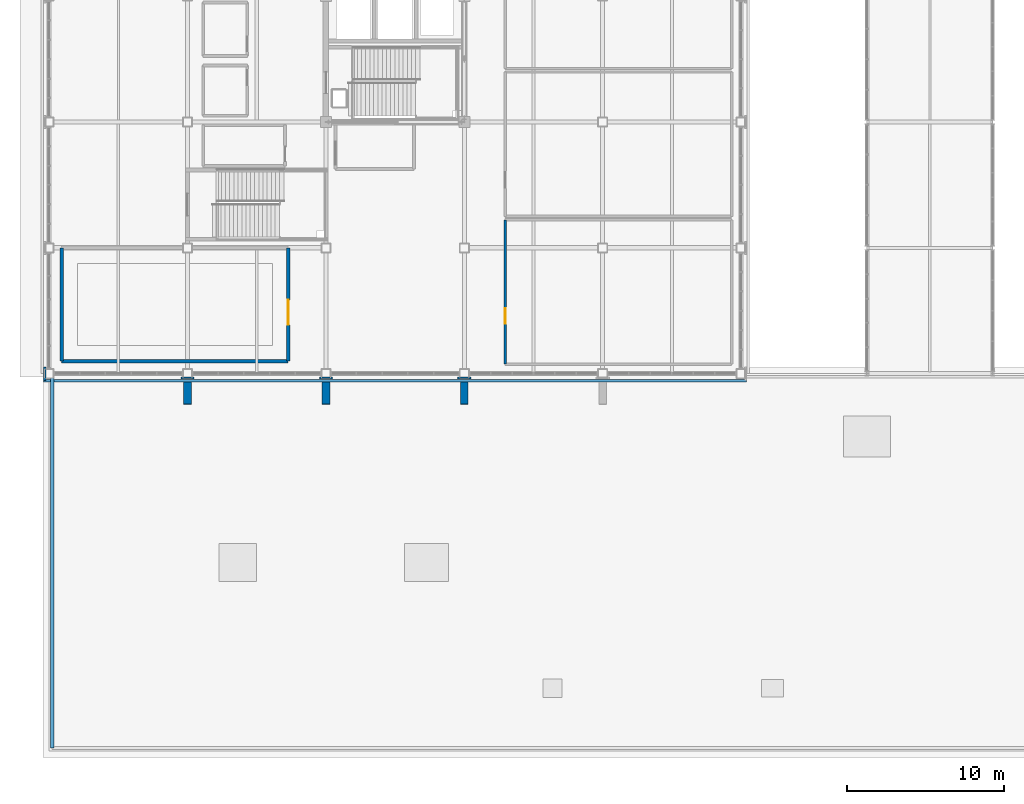
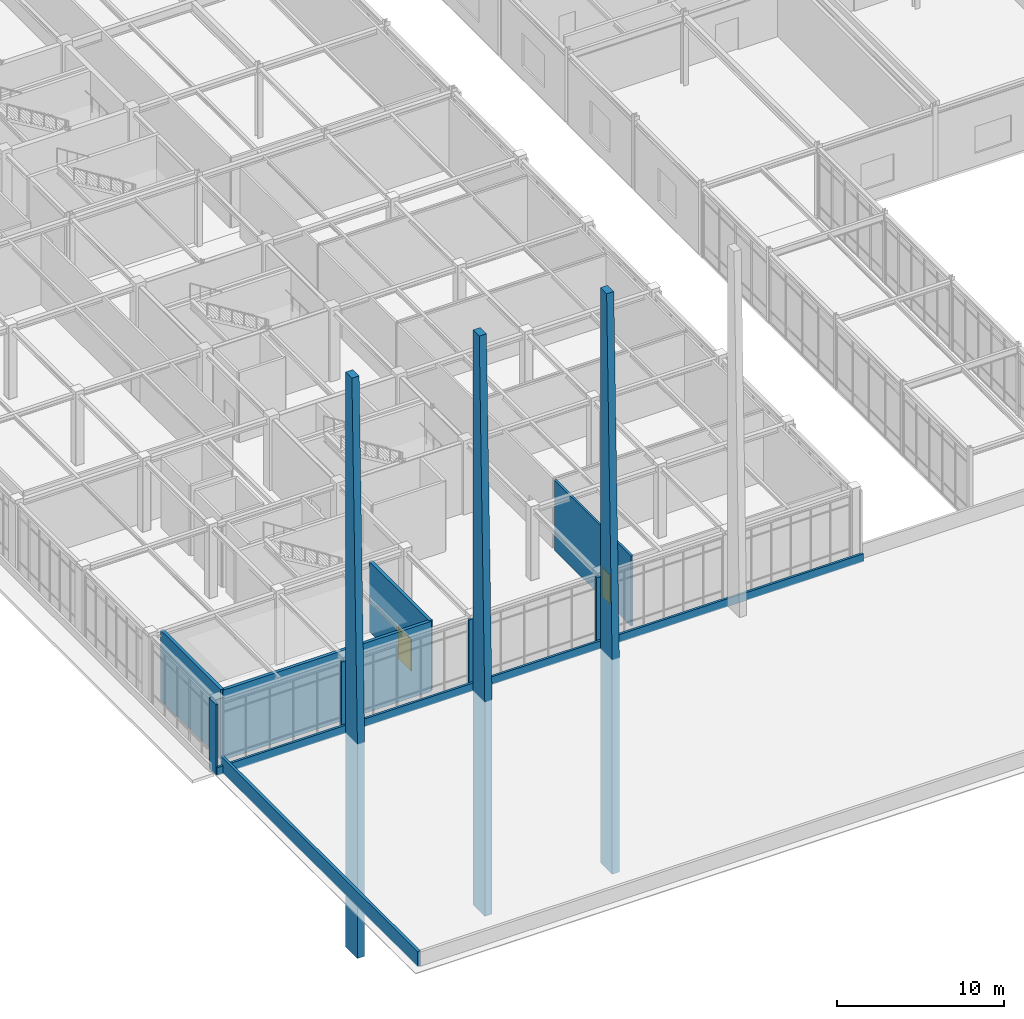
# One storey, part 85 of 108: 13 walls, 2 doors, 2 openings.
"""IFC4 building model written with IfcOpenShell, lengths in metres."""

from ifc_helpers import new_model, si_unit, direction, frame, frame_2d, origin, place, context, subcontext, project, spatial, polyline, rectangle, outline, extrude, material, layer, layer_set, type_object, element, fill, save


model = new_model("IFC4")

# Units and contexts
model_context = context("Model", 3, precision=1e-05, world=origin(), true_north=direction((0.0, 1.0)))
body_context = subcontext(model_context, "Body", "Model", "MODEL_VIEW")
ifc_project = project(units=[si_unit("LENGTHUNIT", "METRE"), si_unit("AREAUNIT", "SQUARE_METRE"), si_unit("VOLUMEUNIT", "CUBIC_METRE"), si_unit("PLANEANGLEUNIT", "RADIAN"), si_unit("MASSUNIT", "GRAM", prefix="KILO")], contexts=[model_context])

# Site, building, storey
site_placement = place(None, origin())
site = spatial("IfcSite", under=ifc_project, at=site_placement, CompositionType="ELEMENT")
building_placement = place(site_placement, origin())
building = spatial("IfcBuilding", under=site, at=building_placement, Name="Zhaolan Boulevard Law Courts", CompositionType="ELEMENT")
storey_placement = place(building_placement, frame((0.0, 0.0, 10.800048828125)))
storey = spatial("IfcBuildingStorey", under=building, at=storey_placement, Name="L02", CompositionType="ELEMENT", Elevation=10.800048828125)

# Walls
ifc_material_1 = material(Name="Concrete C40", Category="concrete")
ifc_layer_1 = layer(ifc_material_1, 0.139892578125)
ifc_layer_set_1 = layer_set([ifc_layer_1])
wall_type_1 = type_object("IfcWallType", Name="EXT WALL ARCH CLAD140", PredefinedType="SOLIDWALL", material=ifc_layer_set_1)
wall_1_placement = place(storey_placement, frame((-0.280029296875, 29.580078125, 0.0), z_axis=(0.0, 0.0, 1.0), x_axis=(0.0, 1.0, 0.0)))
element("IfcWall", 1, at=wall_1_placement, inside=storey, type_object=wall_type_1, Name="Concrete Column Cloak Pier CPR-057", PredefinedType="SOLIDWALL", context=body_context, shape_type="SweptSolid", body=[
    extrude(rectangle(XDim=0.83984375, YDim=0.139892578125, at=frame_2d((0.419921875, 0.0))), origin(), (0.0, 0.0, 1.0), 5.139892578125),
])
for number, where, z_axis, x_axis, name in (
    (2, (8.3798828125, 29.719970703125, 0.0), (0.0, 0.0, 1.0), (1.0, 0.0, 0.0), "Concrete Column Cloak Pier CPR-071"),
    (3, (17.179931640625, 29.719970703125, 0.0), (0.0, 0.0, 1.0), (1.0, 0.0, 0.0), "Concrete Column Cloak Pier CPR-072"),
    (4, (25.97998046875, 29.719970703125, 0.0), (0.0, 0.0, 1.0), (1.0, 0.0, 0.0), "Concrete Column Cloak Pier CPR-073"),
):
    element("IfcWall", number, at=place(storey_placement, frame(where, z_axis=z_axis, x_axis=x_axis)), inside=storey, type_object=wall_type_1, Name=name, PredefinedType="SOLIDWALL", context=body_context, shape_type="SweptSolid", body=[
        extrude(rectangle(XDim=0.840087890625, YDim=0.139892578125, at=frame_2d((0.419921875, 0.0))), origin(), (0.0, 0.0, 1.0), 5.139892578125),
    ])
ifc_material_2 = material(Name="Concrete C40", Category="concrete")
ifc_layer_2 = layer(ifc_material_2, 0.159912109375)
ifc_layer_set_2 = layer_set([ifc_layer_2])
wall_type_2 = type_object("IfcWallType", Name="EXT WALL ARCH CLAD160", PredefinedType="SOLIDWALL", material=ifc_layer_set_2)
wall_2_placement = place(storey_placement, frame((-0.340087890625, 29.56005859375, 0.0), z_axis=(0.0, 0.0, 1.0), x_axis=(1.0, 0.0, 0.0)))
element("IfcWall", 5, at=wall_2_placement, inside=storey, type_object=wall_type_2, Name="Sculpted Concrete Spandrel Band CBW-056", PredefinedType="SOLIDWALL", context=body_context, shape_type="SweptSolid", body=[
    extrude(rectangle(XDim=44.68017578125, YDim=0.159912109375, at=frame_2d((22.340087890625, 0.0))), origin(), (0.0, 0.0, 1.0), 0.579833984375),
])
ifc_material_3 = material(Name="Concrete C40", Category="concrete")
ifc_layer_3 = layer(ifc_material_3, 0.5)
ifc_layer_set_3 = layer_set([ifc_layer_3])
wall_type_3 = type_object("IfcWallType", Name="EXT WALL BUTTRESS500", PredefinedType="SOLIDWALL", material=ifc_layer_set_3)
for number, where, z_axis, x_axis, name in (
    (6, (8.800048828125, 29.4599609375, -15.60009765625), (0.0, 0.0, 1.0), (0.0, -1.0, 0.0), "Sculpted South Concrete Fin SCF-221"),
    (7, (17.60009765625, 29.4599609375, -15.60009765625), (0.0, 0.0, 1.0), (0.0, -1.0, 0.0), "Sculpted South Concrete Fin SCF-222"),
    (8, (26.39990234375, 29.4599609375, -15.60009765625), (0.0, 0.0, 1.0), (0.0, -1.0, 0.0), "Sculpted South Concrete Fin SCF-223"),
):
    element("IfcWall", number, at=place(storey_placement, frame(where, z_axis=z_axis, x_axis=x_axis)), inside=storey, type_object=wall_type_3, Name=name, PredefinedType="SOLIDWALL", context=body_context, shape_type="SweptSolid", body=[
        extrude(outline(polyline([(0.0, 0.0), (1.409912109375, 0.0), (1.409912109375, 15.60009765625), (0.75, 42.0), (0.0, 42.0), (0.0, 0.0)])), frame((0.0, 0.25, 0.0), z_axis=(0.0, -1.0, 0.0), x_axis=(1.0, 0.0, 0.0)), (0.0, 0.0, 1.0), 0.5),
    ])
ifc_material_4 = material(Name="Concrete C40", Category="concrete")
ifc_layer_4 = layer(ifc_material_4, 0.199951171875)
ifc_layer_set_4 = layer_set([ifc_layer_4])
wall_type_4 = type_object("IfcWallType", Name="PARAPET CONCRETE200", PredefinedType="PARAPET", material=ifc_layer_set_4)
wall_3_placement = place(storey_placement, frame((0.199951171875, 6.199951171875, 0.0), z_axis=(0.0, 0.0, 1.0), x_axis=(0.0, 1.0, 0.0)))
element("IfcWall", 9, at=wall_3_placement, inside=storey, type_object=wall_type_4, Name="Roof Parapet PAR-V4-W", PredefinedType="PARAPET", context=body_context, shape_type="SweptSolid", body=[
    extrude(rectangle(XDim=23.60009765625, YDim=0.199951171875, at=frame_2d((11.800048828125, 0.0))), origin(), (0.0, 0.0, 1.0), 1.099853515625),
])
ifc_material_5 = material(Name="Concrete C40", Category="concrete")
ifc_layer_5 = layer(ifc_material_5, 0.219970703125)
ifc_layer_set_5 = layer_set([ifc_layer_5])
wall_type_5 = type_object("IfcWallType", Name="PART WALL COURT220", PredefinedType="PARTITIONING", material=ifc_layer_set_5)
wall_4_placement = place(storey_placement, frame((0.800048828125, 30.800048828125, 0.0), z_axis=(0.0, 0.0, 1.0), x_axis=(1.0, 0.0, 0.0)))
element("IfcWall", 10, at=wall_4_placement, inside=storey, type_object=wall_type_5, Name="Interior Partition PW-L02-489", PredefinedType="PARTITIONING", context=body_context, shape_type="SweptSolid", body=[
    extrude(rectangle(XDim=14.39990234375, YDim=0.219970703125, at=frame_2d((7.199951171875, 0.0))), origin(), (0.0, 0.0, 1.0), 5.119873046875),
])
wall_5_placement = place(storey_placement, frame((0.800048828125, 38.0, 0.0), z_axis=(0.0, 0.0, 1.0), x_axis=(0.0, -1.0, 0.0)))
element("IfcWall", 11, at=wall_5_placement, inside=storey, type_object=wall_type_5, Name="Interior Partition PW-L02-491", PredefinedType="PARTITIONING", context=body_context, shape_type="SweptSolid", body=[
    extrude(rectangle(XDim=7.199951171875, YDim=0.219970703125, at=frame_2d((3.60009765625, 0.0))), origin(), (0.0, 0.0, 1.0), 5.119873046875),
])

# Wall, opening, door
wall_6_placement = place(storey_placement, frame((15.199951171875, 30.800048828125, 0.0), z_axis=(0.0, 0.0, 1.0), x_axis=(0.0, 1.0, 0.0)))
wall_6 = element("IfcWall", 12, at=wall_6_placement, inside=storey, type_object=wall_type_5, Name="Interior Partition PW-L02-492", PredefinedType="PARTITIONING", context=body_context, shape_type="SweptSolid", body=[
    extrude(rectangle(XDim=7.199951171875, YDim=0.219970703125, at=frame_2d((3.60009765625, 0.0))), origin(), (0.0, 0.0, 1.0), 5.119873046875),
])
opening_1_placement = place(wall_6_placement, frame((2.300048828125, 0.0, 0.0)))
opening_1 = element("IfcOpeningElement", 13, at=opening_1_placement, cuts=wall_6, Name="Opening ID-L02-154", PredefinedType="OPENING", context=body_context, shape_type="SweptSolid", body=[
    extrude(rectangle(XDim=1.60009765625, YDim=2.35009765625, at=frame_2d((0.800048828125, 1.175048828125))), frame((0.0, 0.119873046875, 0.0), z_axis=(0.0, -1.0, 0.0), x_axis=(1.0, 0.0, 0.0)), (0.0, 0.0, 1.0), 0.239990234375),
])
ifc_material_6 = material(Name="Solid-core acoustic oak veneer door")
door_type_1 = type_object("IfcDoorType", Name="COURT DOUBLE 1600X2350", OperationType="DOUBLE_DOOR_SINGLE_SWING", PredefinedType="DOOR", material=ifc_material_6)
door_1_placement = place(opening_1_placement, origin())
door_1 = element("IfcDoor", 14, at=door_1_placement, inside=storey, type_object=door_type_1, Name="Door ID-L02-154 (Environmental Trial Courtroom L02)", OperationType="DOUBLE_DOOR_SINGLE_SWING", OverallHeight=2.35009765625, OverallWidth=1.60009765625, PredefinedType="DOOR", context=body_context, shape_type="SweptSolid", body=[
    extrude(rectangle(XDim=1.60009765625, YDim=2.35009765625, at=frame_2d((0.800048828125, 1.175048828125))), frame((0.0, 0.02490234375, 0.0), z_axis=(0.0, -1.0, 0.0), x_axis=(1.0, 0.0, 0.0)), (0.0, 0.0, 1.0), 0.050048828125),
])
fill(opening_1, door_1)

ifc_material_7 = material(Name="Fire-rated gypsum stud partition")
ifc_layer_6 = layer(ifc_material_7, 0.139892578125)
ifc_layer_set_6 = layer_set([ifc_layer_6])
wall_type_6 = type_object("IfcWallType", Name="PART WALL OFFICE140", PredefinedType="PARTITIONING", material=ifc_layer_set_6)
wall_7_placement = place(storey_placement, frame((29.0, 39.783935546875, 0.0), z_axis=(0.0, 0.0, 1.0), x_axis=(0.0, -1.0, 0.0)))
wall_7 = element("IfcWall", 15, at=wall_7_placement, inside=storey, type_object=wall_type_6, Name="Interior Partition PW-L02-495", PredefinedType="PARTITIONING", context=body_context, shape_type="SweptSolid", body=[
    extrude(rectangle(XDim=9.183837890625, YDim=0.139892578125, at=frame_2d((4.591796875, 0.0))), origin(), (0.0, 0.0, 1.0), 5.119873046875),
])
opening_2_placement = place(wall_7_placement, frame((5.623046875, 0.0, 0.0)))
opening_2 = element("IfcOpeningElement", 16, at=opening_2_placement, cuts=wall_7, Name="Opening JD-L02-155", PredefinedType="OPENING", context=body_context, shape_type="SweptSolid", body=[
    extrude(rectangle(XDim=0.97998046875, YDim=2.14990234375, at=frame_2d((0.489990234375, 1.074951171875))), frame((0.0, 0.079833984375, 0.0), z_axis=(0.0, -1.0, 0.0), x_axis=(1.0, 0.0, 0.0)), (0.0, 0.0, 1.0), 0.159912109375),
])
ifc_material_8 = material(Name="Solid-core acoustic oak veneer door")
door_type_2 = type_object("IfcDoorType", Name="CHAMBER DOOR 980X2150 R", OperationType="SINGLE_SWING_RIGHT", PredefinedType="DOOR", material=ifc_material_8)
door_2_placement = place(opening_2_placement, origin())
door_2 = element("IfcDoor", 17, at=door_2_placement, inside=storey, type_object=door_type_2, Name="Door JD-L02-155 (Judges' Chambers L02-01)", OperationType="SINGLE_SWING_RIGHT", OverallHeight=2.14990234375, OverallWidth=0.97998046875, PredefinedType="DOOR", context=body_context, shape_type="SweptSolid", body=[
    extrude(rectangle(XDim=0.97998046875, YDim=2.14990234375, at=frame_2d((0.489990234375, 1.074951171875))), frame((0.0, 0.02490234375, 0.0), z_axis=(0.0, -1.0, 0.0), x_axis=(1.0, 0.0, 0.0)), (0.0, 0.0, 1.0), 0.050048828125),
])
fill(opening_2, door_2)

save(model, "model.ifc")
